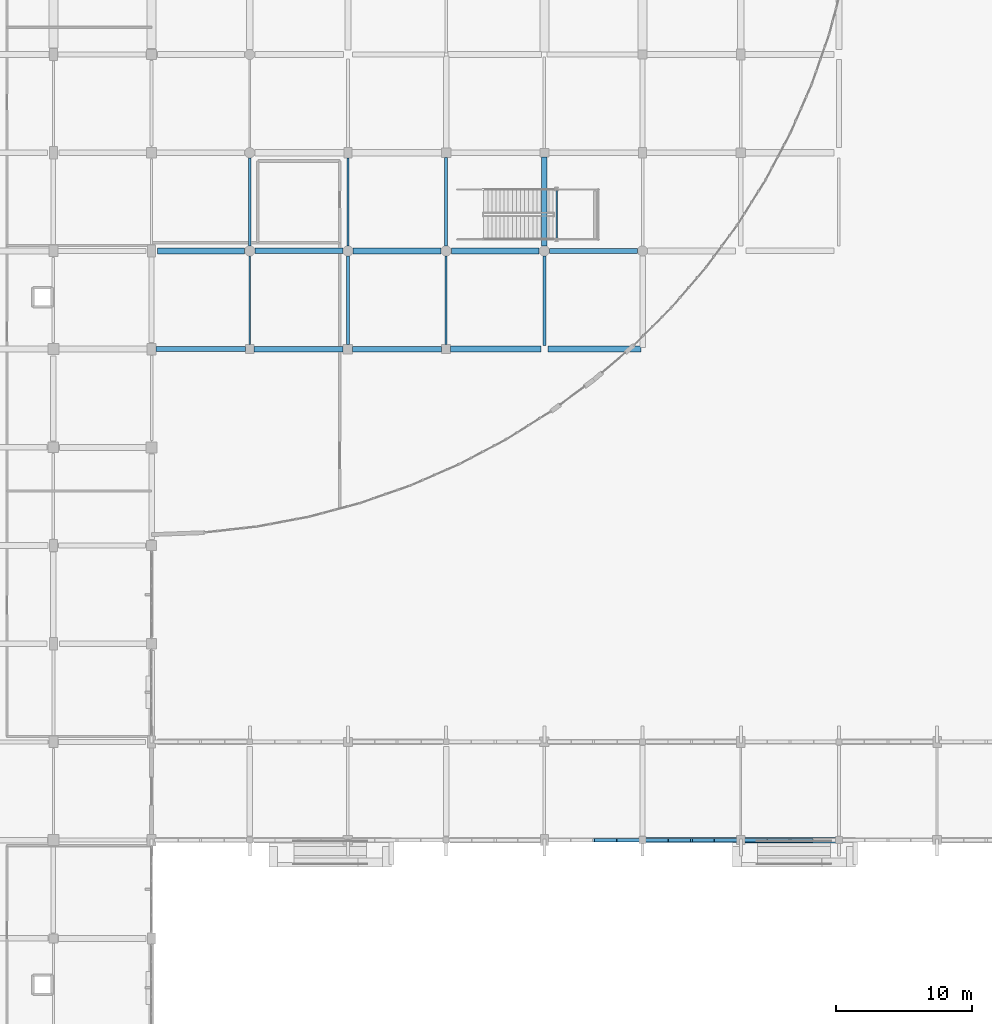
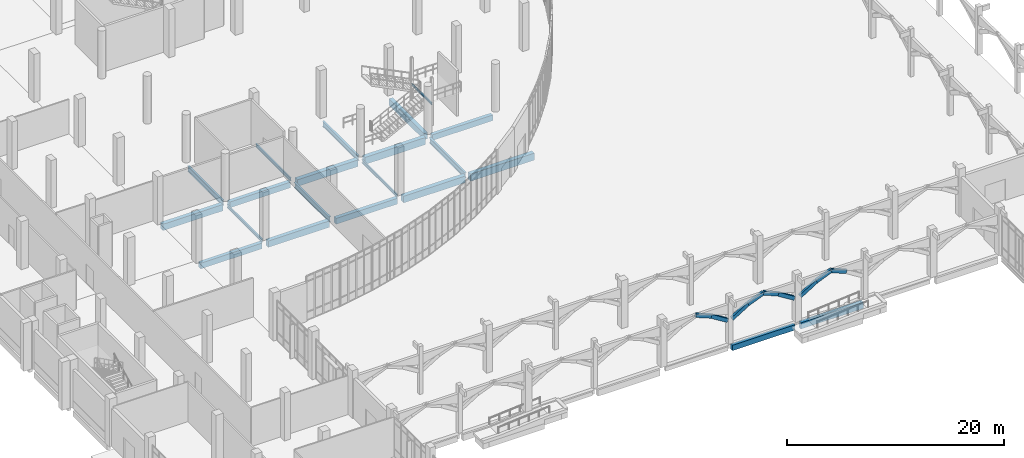
# One storey, part 25 of 110: 21 beams, 9 members.
"""IFC4 building model written with IfcOpenShell, lengths in metres."""

from ifc_helpers import new_model, si_unit, direction, frame, origin, origin_2d, place, context, subcontext, project, spatial, rectangle, i_section, extrude, material, material_profile, profile_set, type_object, element, save


model = new_model("IFC4")

# Units and contexts
model_context = context("Model", 3, precision=1e-05, world=origin(), true_north=direction((0.0, 1.0)))
body_context = subcontext(model_context, "Body", "Model", "MODEL_VIEW")
ifc_project = project(units=[si_unit("LENGTHUNIT", "METRE"), si_unit("AREAUNIT", "SQUARE_METRE"), si_unit("VOLUMEUNIT", "CUBIC_METRE"), si_unit("PLANEANGLEUNIT", "RADIAN"), si_unit("MASSUNIT", "GRAM", prefix="KILO")], contexts=[model_context])

# Site, building, storey
site_placement = place(None, origin())
site = spatial("IfcSite", under=ifc_project, at=site_placement, CompositionType="ELEMENT")
building_placement = place(site_placement, origin())
building = spatial("IfcBuilding", under=site, at=building_placement, Name="Kalluvel Institute of Natural Sciences", CompositionType="ELEMENT")
storey_placement = place(building_placement, origin())
storey = spatial("IfcBuildingStorey", under=building, at=storey_placement, Name="L00", CompositionType="ELEMENT", Elevation=0.0)

# Beams
ifc_material_1 = material(Name="Steel E350 Grade 350", Category="steel")
ifc_material_profile_1 = material_profile(ifc_material_1, i_section(OverallWidth=0.110107421875, OverallDepth=0.22509765625, WebThickness=0.006591796875, FlangeThickness=0.01171875, FilletRadius=0.011962890625, at=origin_2d()), Name="ISMB 225")
ifc_profile_set_1 = profile_set([ifc_material_profile_1], Name="Steel E350 Grade 350")
beam_type_1 = type_object("IfcBeamType", Name="BM-ISMB225", PredefinedType="BEAM", material=ifc_profile_set_1)
beam_1_placement = place(storey_placement, frame((65.300048828125, 72.419921875, 2.375), z_axis=(0.0, 1.0, 0.0), x_axis=(-1.0, 0.0, 0.0)))
element("IfcBeam", 1, at=beam_1_placement, inside=storey, type_object=beam_type_1, Name="L00 Atrium feature stair landing header beam", PredefinedType="BEAM", context=body_context, shape_type="SweptSolid", body=[
    extrude(i_section(OverallWidth=0.110107421875, OverallDepth=0.22509765625, WebThickness=0.006591796875, FlangeThickness=0.01171875, FilletRadius=0.011962890625, at=origin_2d()), origin(), (0.0, 0.0, 1.0), 3.7099609375),
])
ifc_material_profile_2 = material_profile(ifc_material_1, i_section(OverallWidth=0.139892578125, OverallDepth=0.35009765625, WebThickness=0.008056640625, FlangeThickness=0.01416015625, FilletRadius=0.013916015625, at=origin_2d()), Name="ISMB 350")
ifc_profile_set_2 = profile_set([ifc_material_profile_2], Name="Steel E350 Grade 350")
beam_type_2 = type_object("IfcBeamType", Name="BM-ISMB350", PredefinedType="BEAM", material=ifc_profile_set_2)
beam_2_placement = place(storey_placement, frame((42.800048828125, 64.72509765625, -0.4951171875), z_axis=(0.0, 1.0, 0.0), x_axis=(-1.0, 0.0, 0.0)))
element("IfcBeam", 2, at=beam_2_placement, inside=storey, type_object=beam_type_2, Name="L00 girder GIR-L00-NS-X428-Y644", PredefinedType="BEAM", context=body_context, shape_type="SweptSolid", body=[
    extrude(i_section(OverallWidth=0.139892578125, OverallDepth=0.35009765625, WebThickness=0.008056640625, FlangeThickness=0.01416015625, FilletRadius=0.013916015625, at=origin_2d()), origin(), (0.0, 0.0, 1.0), 6.5),
])
beam_3_placement = place(storey_placement, frame((50.0, 71.97509765625, -0.4951171875), z_axis=(0.0, 1.0, 0.0), x_axis=(-1.0, 0.0, 0.0)))
element("IfcBeam", 3, at=beam_3_placement, inside=storey, type_object=beam_type_2, Name="L00 girder GIR-L00-NS-X500-Y716", PredefinedType="BEAM", context=body_context, shape_type="SweptSolid", body=[
    extrude(i_section(OverallWidth=0.139892578125, OverallDepth=0.35009765625, WebThickness=0.008056640625, FlangeThickness=0.01416015625, FilletRadius=0.013916015625, at=origin_2d()), origin(), (0.0, 0.0, 1.0), 6.4248046875),
])
beam_4_placement = place(storey_placement, frame((57.199951171875, 64.72509765625, -0.4951171875), z_axis=(0.0, 1.0, 0.0), x_axis=(-1.0, 0.0, 0.0)))
element("IfcBeam", 4, at=beam_4_placement, inside=storey, type_object=beam_type_2, Name="L00 girder GIR-L00-NS-X572-Y644", PredefinedType="BEAM", context=body_context, shape_type="SweptSolid", body=[
    extrude(i_section(OverallWidth=0.139892578125, OverallDepth=0.35009765625, WebThickness=0.008056640625, FlangeThickness=0.01416015625, FilletRadius=0.013916015625, at=origin_2d()), origin(), (0.0, 0.0, 1.0), 6.5),
])
ifc_material_profile_3 = material_profile(ifc_material_1, i_section(OverallWidth=0.2099609375, OverallDepth=0.60009765625, WebThickness=0.011962890625, FlangeThickness=0.020751953125, FilletRadius=0.02001953125, at=origin_2d()), Name="ISMB 600")
ifc_profile_set_3 = profile_set([ifc_material_profile_3], Name="Steel E350 Grade 350")
beam_type_3 = type_object("IfcBeamType", Name="BM-ISMB600", PredefinedType="BEAM", material=ifc_profile_set_3)
beam_5_placement = place(storey_placement, frame((42.800048828125, 71.97509765625, -0.6201171875), z_axis=(0.0, 1.0, 0.0), x_axis=(-1.0, 0.0, 0.0)))
element("IfcBeam", 5, at=beam_5_placement, inside=storey, type_object=beam_type_3, Name="L00 girder GIR-L00-NS-X428-Y716", PredefinedType="BEAM", context=body_context, shape_type="SweptSolid", body=[
    extrude(i_section(OverallWidth=0.2099609375, OverallDepth=0.60009765625, WebThickness=0.011962890625, FlangeThickness=0.020751953125, FilletRadius=0.02001953125, at=origin_2d()), origin(), (0.0, 0.0, 1.0), 6.449951171875),
])
beam_6_placement = place(storey_placement, frame((50.0, 64.75, -0.6201171875), z_axis=(0.0, 1.0, 0.0), x_axis=(-1.0, 0.0, 0.0)))
element("IfcBeam", 6, at=beam_6_placement, inside=storey, type_object=beam_type_3, Name="L00 girder GIR-L00-NS-X500-Y644", PredefinedType="BEAM", context=body_context, shape_type="SweptSolid", body=[
    extrude(i_section(OverallWidth=0.2099609375, OverallDepth=0.60009765625, WebThickness=0.011962890625, FlangeThickness=0.020751953125, FilletRadius=0.02001953125, at=origin_2d()), origin(), (0.0, 0.0, 1.0), 6.47509765625),
])
beam_7_placement = place(storey_placement, frame((57.199951171875, 71.97509765625, -0.6201171875), z_axis=(0.0, 1.0, 0.0), x_axis=(-1.0, 0.0, 0.0)))
element("IfcBeam", 7, at=beam_7_placement, inside=storey, type_object=beam_type_3, Name="L00 girder GIR-L00-NS-X572-Y716", PredefinedType="BEAM", context=body_context, shape_type="SweptSolid", body=[
    extrude(i_section(OverallWidth=0.2099609375, OverallDepth=0.60009765625, WebThickness=0.011962890625, FlangeThickness=0.020751953125, FilletRadius=0.02001953125, at=origin_2d()), origin(), (0.0, 0.0, 1.0), 6.474853515625),
])
beam_8_placement = place(storey_placement, frame((64.39990234375, 64.64990234375, -0.6201171875), z_axis=(0.0, 1.0, 0.0), x_axis=(-1.0, 0.0, 0.0)))
element("IfcBeam", 8, at=beam_8_placement, inside=storey, type_object=beam_type_3, Name="L00 girder GIR-L00-NS-X644-Y644", PredefinedType="BEAM", context=body_context, shape_type="SweptSolid", body=[
    extrude(i_section(OverallWidth=0.2099609375, OverallDepth=0.60009765625, WebThickness=0.011962890625, FlangeThickness=0.020751953125, FilletRadius=0.02001953125, at=origin_2d()), origin(), (0.0, 0.0, 1.0), 6.5751953125),
])
ifc_material_2 = material(Name="Concrete M40", Category="concrete")
ifc_material_profile_4 = material_profile(ifc_material_2, rectangle(XDim=0.3798828125, YDim=0.639892578125, at=origin_2d()), Name="RCB 380x640")
ifc_profile_set_4 = profile_set([ifc_material_profile_4], Name="Concrete M40")
beam_type_4 = type_object("IfcBeamType", Name="BM-RC380x640", PredefinedType="BEAM", material=ifc_profile_set_4)
beam_9_placement = place(storey_placement, frame((35.925048828125, 64.39990234375, -0.639892578125), z_axis=(1.0, 0.0, 0.0), x_axis=(0.0, 1.0, 0.0)))
element("IfcBeam", 9, at=beam_9_placement, inside=storey, type_object=beam_type_4, Name="L00 girder GIR-L00-EW-X356-Y644", PredefinedType="BEAM", context=body_context, shape_type="SweptSolid", body=[
    extrude(rectangle(XDim=0.3798828125, YDim=0.639892578125, at=origin_2d()), origin(), (0.0, 0.0, 1.0), 6.550048828125),
])
beam_10_placement = place(storey_placement, frame((64.77490234375, 71.60009765625, -0.639892578125), z_axis=(1.0, 0.0, 0.0), x_axis=(0.0, 1.0, 0.0)))
element("IfcBeam", 10, at=beam_10_placement, inside=storey, type_object=beam_type_4, Name="L00 girder GIR-L00-EW-X644-Y716", PredefinedType="BEAM", context=body_context, shape_type="SweptSolid", body=[
    extrude(rectangle(XDim=0.3798828125, YDim=0.639892578125, at=origin_2d()), origin(), (0.0, 0.0, 1.0), 6.4501953125),
])
ifc_material_profile_5 = material_profile(ifc_material_2, rectangle(XDim=0.39990234375, YDim=0.64990234375, at=origin_2d()), Name="RCB 400x650")
ifc_profile_set_5 = profile_set([ifc_material_profile_5], Name="Concrete M40")
beam_type_5 = type_object("IfcBeamType", Name="BM-RC400x650", PredefinedType="BEAM", material=ifc_profile_set_5)
beam_11_placement = place(storey_placement, frame((50.35009765625, 64.39990234375, -0.64501953125), z_axis=(1.0, 0.0, 0.0), x_axis=(0.0, 1.0, 0.0)))
element("IfcBeam", 11, at=beam_11_placement, inside=storey, type_object=beam_type_5, Name="L00 girder GIR-L00-EW-X500-Y644", PredefinedType="BEAM", context=body_context, shape_type="SweptSolid", body=[
    extrude(rectangle(XDim=0.39990234375, YDim=0.64990234375, at=origin_2d()), origin(), (0.0, 0.0, 1.0), 6.52490234375),
])
beam_12_placement = place(storey_placement, frame((43.175048828125, 71.60009765625, -0.64501953125), z_axis=(1.0, 0.0, 0.0), x_axis=(0.0, 1.0, 0.0)))
element("IfcBeam", 12, at=beam_12_placement, inside=storey, type_object=beam_type_5, Name="L00 girder GIR-L00-EW-X428-Y716", PredefinedType="BEAM", context=body_context, shape_type="SweptSolid", body=[
    extrude(rectangle(XDim=0.39990234375, YDim=0.64990234375, at=origin_2d()), origin(), (0.0, 0.0, 1.0), 6.449951171875),
])
ifc_material_profile_6 = material_profile(ifc_material_2, rectangle(XDim=0.39990234375, YDim=0.699951171875, at=origin_2d()), Name="RCB 400x700")
ifc_profile_set_6 = profile_set([ifc_material_profile_6], Name="Concrete M40")
beam_type_6 = type_object("IfcBeamType", Name="BM-RC400x700", PredefinedType="BEAM", material=ifc_profile_set_6)
beam_13_placement = place(storey_placement, frame((64.39990234375, 71.97509765625, -0.669921875), z_axis=(0.0, 1.0, 0.0), x_axis=(-1.0, 0.0, 0.0)))
element("IfcBeam", 13, at=beam_13_placement, inside=storey, type_object=beam_type_6, Name="L00 girder GIR-L00-NS-X644-Y716", PredefinedType="BEAM", context=body_context, shape_type="SweptSolid", body=[
    extrude(rectangle(XDim=0.39990234375, YDim=0.699951171875, at=origin_2d()), origin(), (0.0, 0.0, 1.0), 6.5),
])
ifc_material_profile_7 = material_profile(ifc_material_2, rectangle(XDim=0.419921875, YDim=0.719970703125, at=origin_2d()), Name="RCB 420x720")
ifc_profile_set_7 = profile_set([ifc_material_profile_7], Name="Concrete M40")
beam_type_7 = type_object("IfcBeamType", Name="BM-RC420x720", PredefinedType="BEAM", material=ifc_profile_set_7)
beam_14_placement = place(storey_placement, frame((43.125, 64.39990234375, -0.679931640625), z_axis=(1.0, 0.0, 0.0), x_axis=(0.0, 1.0, 0.0)))
element("IfcBeam", 14, at=beam_14_placement, inside=storey, type_object=beam_type_7, Name="L00 girder GIR-L00-EW-X428-Y644", PredefinedType="BEAM", context=body_context, shape_type="SweptSolid", body=[
    extrude(rectangle(XDim=0.419921875, YDim=0.719970703125, at=origin_2d()), origin(), (0.0, 0.0, 1.0), 6.52490234375),
])
beam_15_placement = place(storey_placement, frame((36.02490234375, 71.60009765625, -0.679931640625), z_axis=(1.0, 0.0, 0.0), x_axis=(0.0, 1.0, 0.0)))
element("IfcBeam", 15, at=beam_15_placement, inside=storey, type_object=beam_type_7, Name="L00 girder GIR-L00-EW-X356-Y716", PredefinedType="BEAM", context=body_context, shape_type="SweptSolid", body=[
    extrude(rectangle(XDim=0.419921875, YDim=0.719970703125, at=origin_2d()), origin(), (0.0, 0.0, 1.0), 6.400146484375),
])
ifc_material_profile_8 = material_profile(ifc_material_2, rectangle(XDim=0.449951171875, YDim=0.75, at=origin_2d()), Name="RCB 450x750")
ifc_profile_set_8 = profile_set([ifc_material_profile_8], Name="Concrete M40")
beam_type_8 = type_object("IfcBeamType", Name="BM-RC450x750", PredefinedType="BEAM", material=ifc_profile_set_8)
beam_16_placement = place(storey_placement, frame((57.52490234375, 64.39990234375, -0.695068359375), z_axis=(1.0, 0.0, 0.0), x_axis=(0.0, 1.0, 0.0)))
element("IfcBeam", 16, at=beam_16_placement, inside=storey, type_object=beam_type_8, Name="L00 girder GIR-L00-EW-X572-Y644", PredefinedType="BEAM", context=body_context, shape_type="SweptSolid", body=[
    extrude(rectangle(XDim=0.449951171875, YDim=0.75, at=origin_2d()), origin(), (0.0, 0.0, 1.0), 6.625),
])
beam_17_placement = place(storey_placement, frame((50.375, 71.60009765625, -0.695068359375), z_axis=(1.0, 0.0, 0.0), x_axis=(0.0, 1.0, 0.0)))
element("IfcBeam", 17, at=beam_17_placement, inside=storey, type_object=beam_type_8, Name="L00 girder GIR-L00-EW-X500-Y716", PredefinedType="BEAM", context=body_context, shape_type="SweptSolid", body=[
    extrude(rectangle(XDim=0.449951171875, YDim=0.75, at=origin_2d()), origin(), (0.0, 0.0, 1.0), 6.449951171875),
])
ifc_material_profile_9 = material_profile(ifc_material_2, rectangle(XDim=0.449951171875, YDim=0.800048828125, at=origin_2d()), Name="RCB 450x800")
ifc_profile_set_9 = profile_set([ifc_material_profile_9], Name="Concrete M40")
beam_type_9 = type_object("IfcBeamType", Name="BM-RC450x800", PredefinedType="BEAM", material=ifc_profile_set_9)
beam_18_placement = place(storey_placement, frame((64.64990234375, 64.39990234375, -0.719970703125), z_axis=(1.0, 0.0, 0.0), x_axis=(0.0, 1.0, 0.0)))
element("IfcBeam", 18, at=beam_18_placement, inside=storey, type_object=beam_type_9, Name="L00 girder GIR-L00-EW-X644-Y644", PredefinedType="BEAM", context=body_context, shape_type="SweptSolid", body=[
    extrude(rectangle(XDim=0.449951171875, YDim=0.800048828125, at=origin_2d()), origin(), (0.0, 0.0, 1.0), 6.8251953125),
])
beam_19_placement = place(storey_placement, frame((57.574951171875, 71.60009765625, -0.719970703125), z_axis=(1.0, 0.0, 0.0), x_axis=(0.0, 1.0, 0.0)))
element("IfcBeam", 19, at=beam_19_placement, inside=storey, type_object=beam_type_9, Name="L00 girder GIR-L00-EW-X572-Y716", PredefinedType="BEAM", context=body_context, shape_type="SweptSolid", body=[
    extrude(rectangle(XDim=0.449951171875, YDim=0.800048828125, at=origin_2d()), origin(), (0.0, 0.0, 1.0), 6.449951171875),
])

# Members
ifc_material_3 = material(Name="Sadarahalli Granite Precast Concrete M45", Category="masonry")
ifc_material_profile_10 = material_profile(ifc_material_3, rectangle(XDim=0.25, YDim=0.39990234375, at=origin_2d()), Name="RCB 250x400")
ifc_profile_set_10 = profile_set([ifc_material_profile_10], Name="Sadarahalli Granite Precast Concrete M45")
member_type = type_object("IfcMemberType", Name="MB-CL-ARCH250", PredefinedType="USERDEFINED", material=ifc_profile_set_10)
member_1_placement = place(storey_placement, frame((68.0, 28.39990234375, 4.340087890625), z_axis=(0.926722267813, 0.0, -0.375747040361), x_axis=(0.0, 1.0, 0.0)))
element("IfcMember", 20, at=member_1_placement, inside=storey, type_object=member_type, Name="Gothic cloister pointed-lancet arch segment 39", ObjectType="ARCH_SEGMENT", PredefinedType="USERDEFINED", context=body_context, shape_type="SweptSolid", body=[
    extrude(rectangle(XDim=0.25, YDim=0.39990234375, at=origin_2d()), origin(), (0.0, 0.0, 1.0), 1.7568359375),
])
member_2_placement = place(storey_placement, frame((69.628173828125, 28.39990234375, 3.679931640625), z_axis=(0.849243371065, 0.0, -0.528001606722), x_axis=(0.0, 1.0, 0.0)))
element("IfcMember", 21, at=member_2_placement, inside=storey, type_object=member_type, Name="Gothic cloister pointed-lancet arch segment 40", ObjectType="ARCH_SEGMENT", PredefinedType="USERDEFINED", context=body_context, shape_type="SweptSolid", body=[
    extrude(rectangle(XDim=0.25, YDim=0.39990234375, at=origin_2d()), origin(), (0.0, 0.0, 1.0), 2.045166015625),
])
member_3_placement = place(storey_placement, frame((71.8349609375, 28.39990234375, 2.60009765625), z_axis=(0.848341098121, 0.0, 0.52945007436), x_axis=(0.0, 1.0, 0.0)))
element("IfcMember", 22, at=member_3_placement, inside=storey, type_object=member_type, Name="Gothic cloister pointed-lancet arch segment 45", ObjectType="ARCH_SEGMENT", PredefinedType="USERDEFINED", context=body_context, shape_type="SweptSolid", body=[
    extrude(rectangle(XDim=0.25, YDim=0.39990234375, at=origin_2d()), origin(), (0.0, 0.0, 1.0), 2.03955078125),
])
member_4_placement = place(storey_placement, frame((73.565185546875, 28.39990234375, 3.679931640625), z_axis=(0.927249234166, 0.0, 0.374444732555), x_axis=(0.0, 1.0, 0.0)))
element("IfcMember", 23, at=member_4_placement, inside=storey, type_object=member_type, Name="Gothic cloister pointed-lancet arch segment 46", ObjectType="ARCH_SEGMENT", PredefinedType="USERDEFINED", context=body_context, shape_type="SweptSolid", body=[
    extrude(rectangle(XDim=0.25, YDim=0.39990234375, at=origin_2d()), origin(), (0.0, 0.0, 1.0), 1.762939453125),
])
member_5_placement = place(storey_placement, frame((75.199951171875, 28.39990234375, 4.340087890625), z_axis=(0.920917508555, 0.0, -0.389757543142), x_axis=(0.0, 1.0, 0.0)))
element("IfcMember", 24, at=member_5_placement, inside=storey, type_object=member_type, Name="Gothic cloister pointed-lancet arch segment 47", ObjectType="ARCH_SEGMENT", PredefinedType="USERDEFINED", context=body_context, shape_type="SweptSolid", body=[
    extrude(rectangle(XDim=0.25, YDim=0.39990234375, at=origin_2d()), origin(), (0.0, 0.0, 1.0), 1.69384765625),
])
for number, where, z_axis, x_axis, name in (
    (25, (76.759765625, 28.39990234375, 3.679931640625), (0.848341098121, 0.0, -0.52945007436), (0.0, 1.0, 0.0), "Gothic cloister pointed-lancet arch segment 48"),
    (26, (79.110107421875, 28.39990234375, 2.60009765625), (0.848341098121, 0.0, 0.52945007436), (0.0, 1.0, 0.0), "Gothic cloister pointed-lancet arch segment 53"),
):
    element("IfcMember", number, at=place(storey_placement, frame(where, z_axis=z_axis, x_axis=x_axis)), inside=storey, type_object=member_type, Name=name, ObjectType="ARCH_SEGMENT", PredefinedType="USERDEFINED", context=body_context, shape_type="SweptSolid", body=[
        extrude(rectangle(XDim=0.25, YDim=0.39990234375, at=origin_2d()), origin(), (0.0, 0.0, 1.0), 2.03955078125),
    ])
member_6_placement = place(storey_placement, frame((80.84033203125, 28.39990234375, 3.679931640625), z_axis=(0.920895607584, 0.0, 0.389809286617), x_axis=(0.0, 1.0, 0.0)))
element("IfcMember", 27, at=member_6_placement, inside=storey, type_object=member_type, Name="Gothic cloister pointed-lancet arch segment 54", ObjectType="ARCH_SEGMENT", PredefinedType="USERDEFINED", context=body_context, shape_type="SweptSolid", body=[
    extrude(rectangle(XDim=0.25, YDim=0.39990234375, at=origin_2d()), origin(), (0.0, 0.0, 1.0), 1.693603515625),
])
member_7_placement = place(storey_placement, frame((82.39990234375, 28.39990234375, 4.340087890625), z_axis=(0.927249234166, 0.0, -0.374444732555), x_axis=(0.0, 1.0, 0.0)))
element("IfcMember", 28, at=member_7_placement, inside=storey, type_object=member_type, Name="Gothic cloister pointed-lancet arch segment 55", ObjectType="ARCH_SEGMENT", PredefinedType="USERDEFINED", context=body_context, shape_type="SweptSolid", body=[
    extrude(rectangle(XDim=0.25, YDim=0.39990234375, at=origin_2d()), origin(), (0.0, 0.0, 1.0), 1.762939453125),
])

# Beams
ifc_material_profile_11 = material_profile(ifc_material_2, rectangle(XDim=0.35009765625, YDim=0.60009765625, at=origin_2d()), Name="RCB 350x600")
ifc_profile_set_11 = profile_set([ifc_material_profile_11], Name="Concrete M40")
beam_type_10 = type_object("IfcBeamType", Name="SP-RC350x600", PredefinedType="SPANDREL", material=ifc_profile_set_11)
beam_20_placement = place(storey_placement, frame((71.824951171875, 28.39990234375, -0.6201171875), z_axis=(1.0, 0.0, 0.0), x_axis=(0.0, 1.0, 0.0)))
element("IfcBeam", 29, at=beam_20_placement, inside=storey, type_object=beam_type_10, Name="L00 girder GIR-L00-EW-X716-Y284", PredefinedType="SPANDREL", context=body_context, shape_type="SweptSolid", body=[
    extrude(rectangle(XDim=0.35009765625, YDim=0.60009765625, at=origin_2d()), origin(), (0.0, 0.0, 1.0), 6.650146484375),
])
ifc_material_profile_12 = material_profile(ifc_material_2, rectangle(XDim=0.39990234375, YDim=0.699951171875, at=origin_2d()), Name="RCB 400x700")
ifc_profile_set_12 = profile_set([ifc_material_profile_12], Name="Concrete M40")
beam_type_11 = type_object("IfcBeamType", Name="SP-RC400x700", PredefinedType="SPANDREL", material=ifc_profile_set_12)
beam_21_placement = place(storey_placement, frame((79.125, 28.39990234375, -0.669921875), z_axis=(1.0, 0.0, 0.0), x_axis=(0.0, 1.0, 0.0)))
element("IfcBeam", 30, at=beam_21_placement, inside=storey, type_object=beam_type_11, Name="L00 girder GIR-L00-EW-X788-Y284", PredefinedType="SPANDREL", context=body_context, shape_type="SweptSolid", body=[
    extrude(rectangle(XDim=0.39990234375, YDim=0.699951171875, at=origin_2d()), origin(), (0.0, 0.0, 1.0), 6.64990234375),
])

save(model, "model.ifc")
